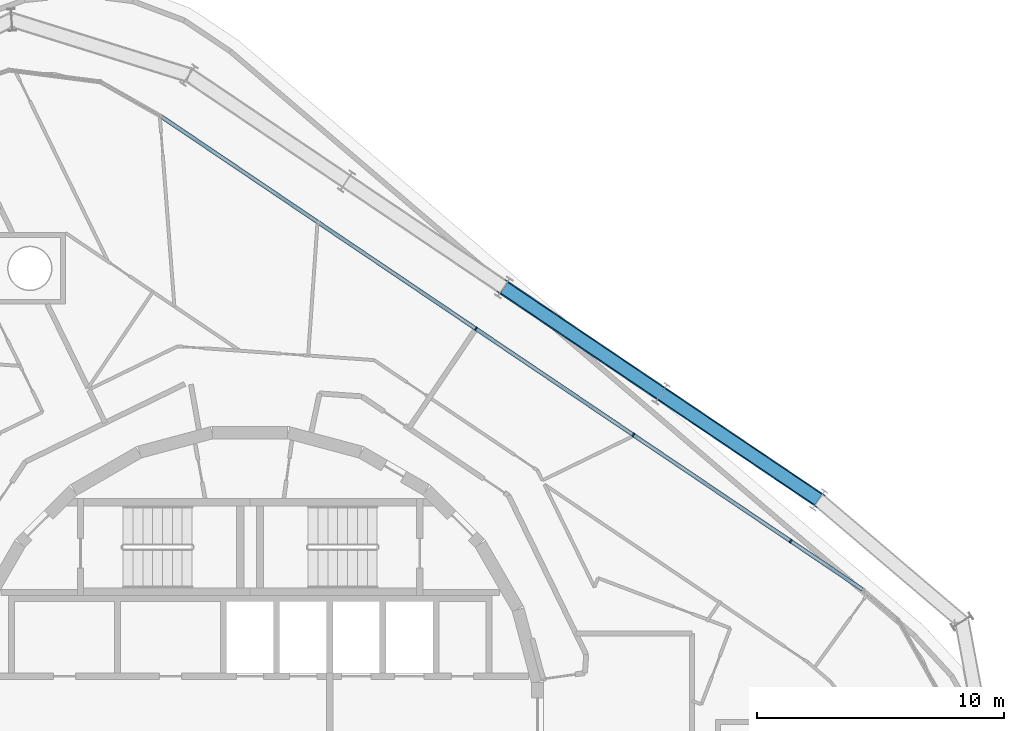
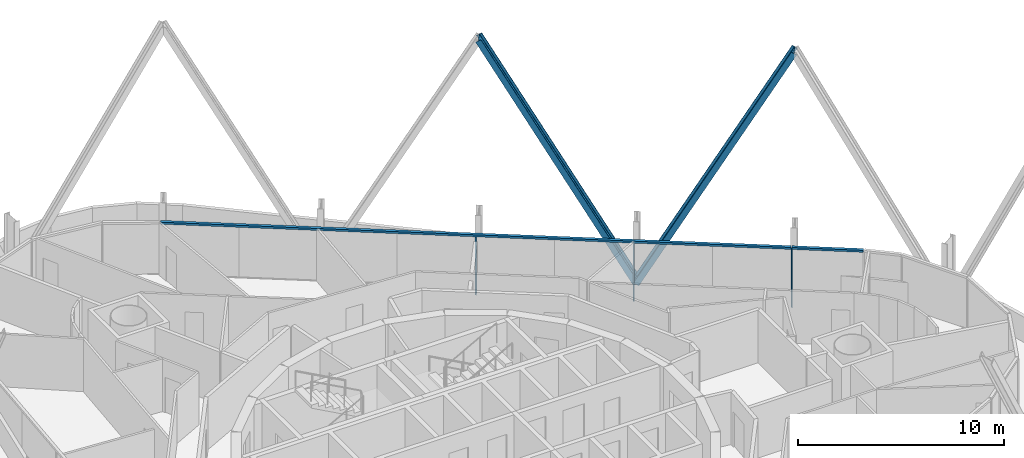
# One storey, part 9 of 18: 7 members, 2 elements without a shape of their own.
"""IFC4 building model written with IfcOpenShell, lengths in metres."""

import ifcopenshell
import ifcopenshell.guid

model = None  # the IFC model being written
_history = None  # IfcOwnerHistory: only IFC2X3 demands one
_inside = {}  # id of a spatial element -> (the spatial element, [elements in it])
_under = {}  # id of a project, library or spatial element -> (it, [spatial elements below it])
_declared = {}  # id of a project -> (the project, [libraries it declares])
_typed = {}  # id of a type object -> (the type object, [elements of that type])
_made_of = {}  # id of a material, layer set ... -> (it, [elements and type objects made of it])


def new_model(schema):
    """Start an empty IFC model of exactly this schema.

    Asked for "IFC4X3", IfcOpenShell would pick the latest addendum, in which some entities
    have other attributes; the version numbers below select the first issue.
    IFC2X3 requires an IfcOwnerHistory on every rooted entity: one is made here for all.
    """
    global model, _history
    if schema == "IFC4X3":
        model = ifcopenshell.file(schema_version=(4, 3, 0, 0))
    else:
        model = ifcopenshell.file(schema=schema)
    _inside.clear()
    _under.clear()
    _declared.clear()
    _typed.clear()
    _made_of.clear()
    _history = None
    if model.schema == "IFC2X3":
        org = make("IfcOrganization", Name="unknown")
        user = make(
            "IfcPersonAndOrganization",
            ThePerson=make("IfcPerson", FamilyName="unknown"),
            TheOrganization=org,
        )
        app = make(
            "IfcApplication",
            ApplicationDeveloper=org,
            Version="unknown",
            ApplicationFullName="unknown",
            ApplicationIdentifier="unknown",
        )
        _history = make(
            "IfcOwnerHistory",
            OwningUser=user,
            OwningApplication=app,
            ChangeAction="ADDED",
            CreationDate=0,
        )
    return model


def make(cls, **values):
    """One entity of the class cls with the attributes given. An attribute that is None is left unset."""
    return model.create_entity(
        cls, **{name: value for name, value in values.items() if value is not None}
    )


def rooted(cls, **values):
    """An entity with a GlobalId (a new one), such as an element, a storey or a relation."""
    return make(cls, GlobalId=ifcopenshell.guid.new(), OwnerHistory=_history, **values)


def si_unit(unit_type, name, prefix=None):
    """IfcSIUnit, for example si_unit("LENGTHUNIT", "METRE", prefix="MILLI")."""
    return make("IfcSIUnit", UnitType=unit_type, Prefix=prefix, Name=name)


def assignment(units):
    """IfcUnitAssignment: the units of a project."""
    return None if units is None else make("IfcUnitAssignment", Units=units)


def point(xyz):
    """IfcCartesianPoint."""
    return None if xyz is None else make("IfcCartesianPoint", Coordinates=xyz)


def direction(xyz):
    """IfcDirection."""
    return None if xyz is None else make("IfcDirection", DirectionRatios=xyz)


def frame(location, z_axis=None, x_axis=None):
    """IfcAxis2Placement3D, a coordinate frame: its origin and axes. An axis left out is left unset."""
    return make(
        "IfcAxis2Placement3D",
        Location=point(location),
        Axis=direction(z_axis),
        RefDirection=direction(x_axis),
    )


def frame_2d(location, x_axis=None):
    """IfcAxis2Placement2D, a coordinate frame in the plane: its origin and x axis."""
    return make(
        "IfcAxis2Placement2D", Location=point(location), RefDirection=direction(x_axis)
    )


def origin():
    """The frame at (0, 0, 0) with its axes left unset."""
    return frame((0.0, 0.0, 0.0))


def origin_2d():
    """The frame at (0, 0) in the plane with its x axis left unset."""
    return frame_2d((0.0, 0.0))


def place(relative_to, where):
    """IfcLocalPlacement: puts the frame where relative to a parent placement (None: the world)."""
    return make(
        "IfcLocalPlacement", PlacementRelTo=relative_to, RelativePlacement=where
    )


def context(
    kind, dimensions, precision=None, world=None, true_north=None, identifier=None
):
    """IfcGeometricRepresentationContext, for example the 3D "Model" context."""
    return make(
        "IfcGeometricRepresentationContext",
        ContextIdentifier=identifier,
        ContextType=kind,
        CoordinateSpaceDimension=dimensions,
        Precision=precision,
        WorldCoordinateSystem=world,
        TrueNorth=true_north,
    )


def subcontext(parent, identifier, kind, view, scale=None):
    """IfcGeometricRepresentationSubContext, for example "Body" below "Model"."""
    return make(
        "IfcGeometricRepresentationSubContext",
        ContextIdentifier=identifier,
        ContextType=kind,
        ParentContext=parent,
        TargetScale=scale,
        TargetView=view,
    )


def project(units=None, contexts=None):
    """IfcProject with its units and contexts."""
    return rooted(
        "IfcProject",
        Name="project",
        RepresentationContexts=contexts,
        UnitsInContext=assignment(units),
    )


def spatial(cls, under=None, at=None, **own):
    """A site, building, storey or space (cls), placed at a placement, below another one or the project."""
    s = rooted(cls, ObjectPlacement=at, **own)
    if under is not None:
        _under.setdefault(under.id(), (under, []))[1].append(s)
    return s


def profile(cls, at=None, kind="AREA", **sizes):
    """A parametric profile (cls). Its sizes go by their IFC names, for example OverallWidth=200.0."""
    return make(cls, ProfileType=kind, Position=at, **sizes)


def rectangle(**sizes):
    """IfcRectangleProfileDef."""
    return profile("IfcRectangleProfileDef", **sizes)


def i_section(**sizes):
    """IfcIShapeProfileDef."""
    return profile("IfcIShapeProfileDef", **sizes)


def extrude(swept, where, along, depth):
    """IfcExtrudedAreaSolid: the profile swept, set in the frame where, extruded along a direction by depth."""
    return make(
        "IfcExtrudedAreaSolid",
        SweptArea=swept,
        Position=where,
        ExtrudedDirection=direction(along),
        Depth=depth,
    )


def shape(context_of_items, identifier, shape_type, items):
    """IfcShapeRepresentation: the items that make up one representation, for example the "Body"."""
    return make(
        "IfcShapeRepresentation",
        ContextOfItems=context_of_items,
        RepresentationIdentifier=identifier,
        RepresentationType=shape_type,
        Items=items,
    )


def material(Name=None, Category=None):
    """IfcMaterial."""
    return make("IfcMaterial", Name=Name, Category=Category)


def layer(
    of_material, thickness, ventilated=None, Name=None, Category=None, Priority=None
):
    """IfcMaterialLayer: one layer of a wall or slab, of a material (None: an air gap)."""
    return make(
        "IfcMaterialLayer",
        Material=of_material,
        LayerThickness=thickness,
        IsVentilated=ventilated,
        Name=Name,
        Category=Category,
        Priority=Priority,
    )


def layer_set(layers, Name=None):
    """IfcMaterialLayerSet."""
    return make("IfcMaterialLayerSet", MaterialLayers=layers, LayerSetName=Name)


def material_profile(
    of_material, cross_section, Name=None, Category=None, Priority=None
):
    """IfcMaterialProfile: a cross section and its material."""
    return make(
        "IfcMaterialProfile",
        Name=Name,
        Material=of_material,
        Profile=cross_section,
        Priority=Priority,
        Category=Category,
    )


def profile_set(profiles, Name=None, composite=None):
    """IfcMaterialProfileSet."""
    return make(
        "IfcMaterialProfileSet",
        Name=Name,
        MaterialProfiles=profiles,
        CompositeProfile=composite,
    )


def made_of(thing, what):
    """Note that an element or type object is made of a material, layer set ...; save() writes the relation."""
    if what is not None:
        _made_of.setdefault(what.id(), (what, []))[1].append(thing)
    return thing


def type_object(cls, material=None, **own):
    """A type object (cls), such as IfcWallType, which elements share."""
    return made_of(rooted(cls, **own), material)


def element(
    cls,
    number,
    at=None,
    inside=None,
    cuts=None,
    type_object=None,
    material=None,
    context=None,
    identifier="Body",
    shape_type=None,
    held_by="IfcProductDefinitionShape",
    body=None,
    shapes=None,
    **own,
):
    """One element of the class cls, such as IfcWall. Its Tag is "e" and its number.

    at: its placement. inside: the storey or other place that contains it. cuts: it is an
    opening in that element (IfcRelVoidsElement). A single representation is given by context,
    identifier, shape_type and body (its items); several are given by shapes. held_by: the class
    of the entity that holds the representations. save() writes the other relations.
    """
    e = rooted(cls, Tag="e%d" % number, ObjectPlacement=at, **own)
    if body is not None:
        shapes = [shape(context, identifier, shape_type, body)]
    if shapes is not None:
        e.Representation = make(held_by, Representations=shapes)
    if inside is not None:
        _inside.setdefault(inside.id(), (inside, []))[1].append(e)
    if cuts is not None:
        rooted(
            "IfcRelVoidsElement", RelatingBuildingElement=cuts, RelatedOpeningElement=e
        )
    if type_object is not None:
        _typed.setdefault(type_object.id(), (type_object, []))[1].append(e)
    return made_of(e, material)


def aggregate(whole, parts):
    """IfcRelAggregates: a whole, such as a stair, and the parts it consists of."""
    return rooted("IfcRelAggregates", RelatingObject=whole, RelatedObjects=parts)


def save(model, path):
    """Write the relations noted so far, then the file.

    IfcRelAggregates (storeys below a building ...), IfcRelContainedInSpatialStructure (elements
    in a storey), IfcRelDefinesByType, IfcRelAssociatesMaterial and IfcRelDeclares: one each for
    every whole, place, type object, material and project.
    """
    for whole, parts in _under.values():
        aggregate(whole, parts)
    for where, things in _inside.values():
        rooted(
            "IfcRelContainedInSpatialStructure",
            RelatedElements=things,
            RelatingStructure=where,
        )
    for kind, things in _typed.values():
        rooted("IfcRelDefinesByType", RelatedObjects=things, RelatingType=kind)
    for what, things in _made_of.values():
        rooted("IfcRelAssociatesMaterial", RelatedObjects=things, RelatingMaterial=what)
    for by, libraries in _declared.values():
        rooted("IfcRelDeclares", RelatingContext=by, RelatedDefinitions=libraries)
    model.write(path)


model = new_model("IFC4")

# Units and contexts
model_context = context("Model", 3, precision=1e-05, world=origin(), true_north=direction((0.0, 1.0)))
body_context = subcontext(model_context, "Body", "Model", "MODEL_VIEW")
ifc_project = project(units=[si_unit("LENGTHUNIT", "METRE"), si_unit("AREAUNIT", "SQUARE_METRE"), si_unit("VOLUMEUNIT", "CUBIC_METRE"), si_unit("PLANEANGLEUNIT", "RADIAN"), si_unit("MASSUNIT", "GRAM", prefix="KILO")], contexts=[model_context])

# Site, building, storey
site_placement = place(None, origin())
site = spatial("IfcSite", under=ifc_project, at=site_placement, CompositionType="ELEMENT")
building_placement = place(site_placement, origin())
building = spatial("IfcBuilding", under=site, at=building_placement, Name="Spindle Arch Residences", CompositionType="ELEMENT")
storey_placement = place(building_placement, frame((0.0, 0.0, 188.39990234375)))
storey = spatial("IfcBuildingStorey", under=building, at=storey_placement, Name="L47", CompositionType="ELEMENT", Elevation=188.39990234375)

# Curtain wall, members
ifc_material_1 = material(Name="Aluminium bronze unitised frame with tinted glass", Category="aluminium")
ifc_layer_1 = layer(ifc_material_1, 0.159912109375)
ifc_layer_set_1 = layer_set([ifc_layer_1], Name="CW-C typical residential unitised wall")
curtain_wall_type_1 = type_object("IfcCurtainWallType", Name="CW-C typical residential unitised wall", PredefinedType="NOTDEFINED", material=ifc_layer_set_1)
curtain_wall_1_placement = place(storey_placement, origin())
curtain_wall_1 = element("IfcCurtainWall", 1, at=curtain_wall_1_placement, inside=storey, type_object=curtain_wall_type_1, Name="CW-C L47 run 2", PredefinedType="NOTDEFINED")
ifc_material_2 = material(Name="Aluminium bronze anodised mullion", Category="aluminium")
ifc_material_profile_1 = material_profile(ifc_material_2, rectangle(XDim=0.159912109375, YDim=0.06005859375, at=origin_2d()), Name="MU 60x160")
ifc_profile_set_1 = profile_set([ifc_material_profile_1], Name="Aluminium bronze anodised mullion")
member_type_1 = type_object("IfcMemberType", Name="Bronze mullion 60x160", PredefinedType="MULLION", material=ifc_profile_set_1)
member_1_placement = place(storey_placement, frame((21.905029296875, 7.25146484375, -0.449951171875), z_axis=(0.0, 0.0, 1.0), x_axis=(-0.559192903471, -0.829037572555, 0.0)))
member_1 = element("IfcMember", 2, at=member_1_placement, type_object=member_type_1, Name="CW-C mullion 05", PredefinedType="MULLION", context=body_context, shape_type="SweptSolid", body=[
    extrude(rectangle(XDim=0.159912109375, YDim=0.06005859375, at=origin_2d()), origin(), (0.0, 0.0, 1.0), 3.449951171875),
])
member_2_placement = place(storey_placement, frame((15.526611328125, 11.5537109375, -0.449951171875), z_axis=(0.0, 0.0, 1.0), x_axis=(-0.559192903471, -0.829037572555, 0.0)))
member_2 = element("IfcMember", 3, at=member_2_placement, type_object=member_type_1, Name="CW-C mullion 06", PredefinedType="MULLION", context=body_context, shape_type="SweptSolid", body=[
    extrude(rectangle(XDim=0.159912109375, YDim=0.06005859375, at=origin_2d()), origin(), (0.0, 0.0, 1.0), 3.449951171875),
])
member_3_placement = place(storey_placement, frame((9.148193359375, 15.85595703125, -0.449951171875), z_axis=(0.0, 0.0, 1.0), x_axis=(-0.559192903471, -0.829037572555, 0.0)))
member_3 = element("IfcMember", 4, at=member_3_placement, type_object=member_type_1, Name="CW-C mullion 07", PredefinedType="MULLION", context=body_context, shape_type="SweptSolid", body=[
    extrude(rectangle(XDim=0.159912109375, YDim=0.06005859375, at=origin_2d()), origin(), (0.0, 0.0, 1.0), 3.449951171875),
])

# Curtain wall, member
ifc_material_3 = material(Name="Aluminium bronze unitised frame with tinted glass", Category="aluminium")
ifc_layer_2 = layer(ifc_material_3, 0.159912109375)
ifc_layer_set_2 = layer_set([ifc_layer_2], Name="CW-D corner wall on the fillet arcs")
curtain_wall_type_2 = type_object("IfcCurtainWallType", Name="CW-D corner wall on the fillet arcs", PredefinedType="NOTDEFINED", material=ifc_layer_set_2)
curtain_wall_2_placement = place(storey_placement, origin())
curtain_wall_2 = element("IfcCurtainWall", 5, at=curtain_wall_2_placement, inside=storey, type_object=curtain_wall_type_2, Name="CW-D L47 run 1", PredefinedType="NOTDEFINED")
ifc_material_4 = material(Name="Aluminium bronze anodised transom", Category="aluminium")
ifc_material_profile_2 = material_profile(ifc_material_4, rectangle(XDim=0.159912109375, YDim=0.1201171875, at=origin_2d()), Name="TR 120x160")
ifc_profile_set_2 = profile_set([ifc_material_profile_2], Name="Aluminium bronze anodised transom")
member_type_2 = type_object("IfcMemberType", Name="Bronze transom 120x160", PredefinedType="USERDEFINED", material=ifc_profile_set_2)
member_4_placement = place(storey_placement, frame((24.805419921875, 5.295166015625, 3.06005859375), z_axis=(-0.829049362711, 0.559175423448, 0.0), x_axis=(-0.559175423448, -0.829049362711, 0.0)))
member_4 = element("IfcMember", 6, at=member_4_placement, type_object=member_type_2, Name="CW-D transom 06", ObjectType="TRANSOM", PredefinedType="USERDEFINED", context=body_context, shape_type="SweptSolid", body=[
    extrude(rectangle(XDim=0.159912109375, YDim=0.1201171875, at=origin_2d()), origin(), (0.0, 0.0, 1.0), 3.468505859375),
])
aggregate(curtain_wall_2, [member_4])

# Member
member_5_placement = place(storey_placement, frame((21.880126953125, 7.26806640625, 3.06005859375), z_axis=(-0.829038450691, 0.559191601578, 0.0), x_axis=(-0.559191601578, -0.829038450691, 0.0)))
member_5 = element("IfcMember", 7, at=member_5_placement, type_object=member_type_2, Name="CW-C transom 00", ObjectType="TRANSOM", PredefinedType="USERDEFINED", context=body_context, shape_type="SweptSolid", body=[
    extrude(rectangle(XDim=0.159912109375, YDim=0.1201171875, at=origin_2d()), origin(), (0.0, 0.0, 1.0), 30.71484375),
])

aggregate(curtain_wall_1, [member_5, member_1, member_2, member_3])

# Members
ifc_material_5 = material(Name="Steel S460ML, intumescent coating R 240", Category="steel")
ifc_material_profile_3 = material_profile(ifc_material_5, i_section(OverallWidth=0.304931640625, OverallDepth=0.6201171875, WebThickness=0.02099609375, FlangeThickness=0.0400390625, FilletRadius=0.027099609375, at=origin_2d()), Name="HEM 600")
ifc_profile_set_3 = profile_set([ifc_material_profile_3], Name="Steel S460ML, intumescent coating R 240")
member_type_3 = type_object("IfcMemberType", Name="Diagrid diagonal HEM 600", PredefinedType="BRACE", material=ifc_profile_set_3)
for number, where, z_axis, x_axis, name in (
    (8, (16.65625, 13.228271484375, -0.699951171875), (0.397750707918, -0.268283050407, 0.877393058563), (-0.727394515643, 0.490627962745, 0.479772259291), "Diagrid diagonal 5.1.6"),
    (9, (16.65625, 13.228271484375, -0.699951171875), (-0.397750707918, 0.268283050407, 0.877393058563), (0.727394515643, -0.490627962745, 0.479772259291), "Diagrid diagonal 5.1.7"),
):
    element("IfcMember", number, at=place(storey_placement, frame(where, z_axis=z_axis, x_axis=x_axis)), inside=storey, type_object=member_type_3, Name=name, PredefinedType="BRACE", context=body_context, shape_type="SweptSolid", body=[
        extrude(i_section(OverallWidth=0.304931640625, OverallDepth=0.6201171875, WebThickness=0.02099609375, FlangeThickness=0.0400390625, FilletRadius=0.027099609375, at=origin_2d()), origin(), (0.0, 0.0, 1.0), 16.0361328125),
    ])

save(model, "model.ifc")
